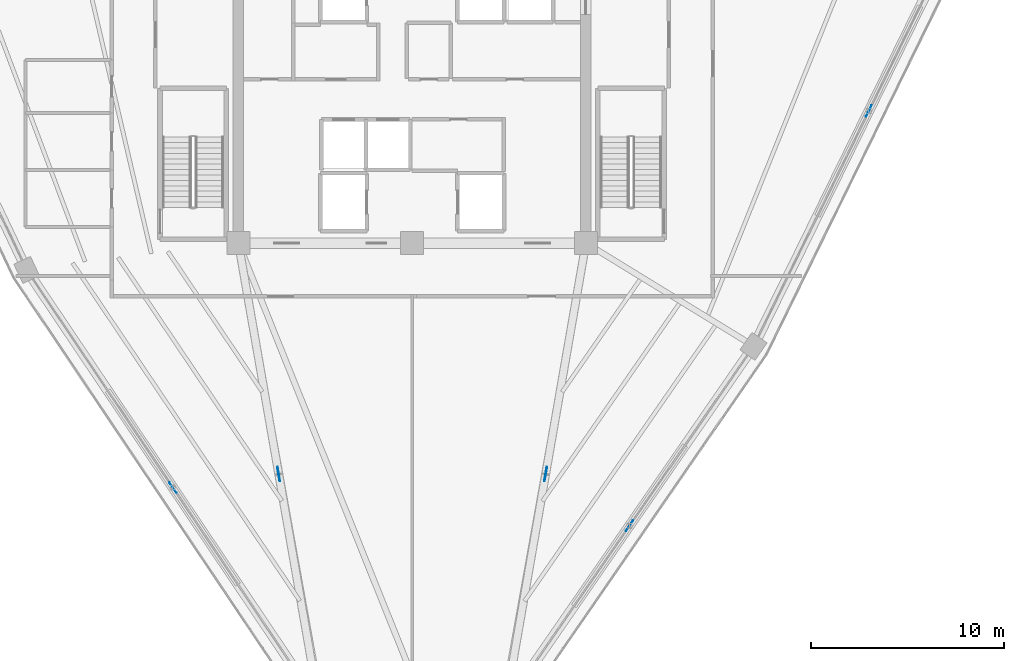
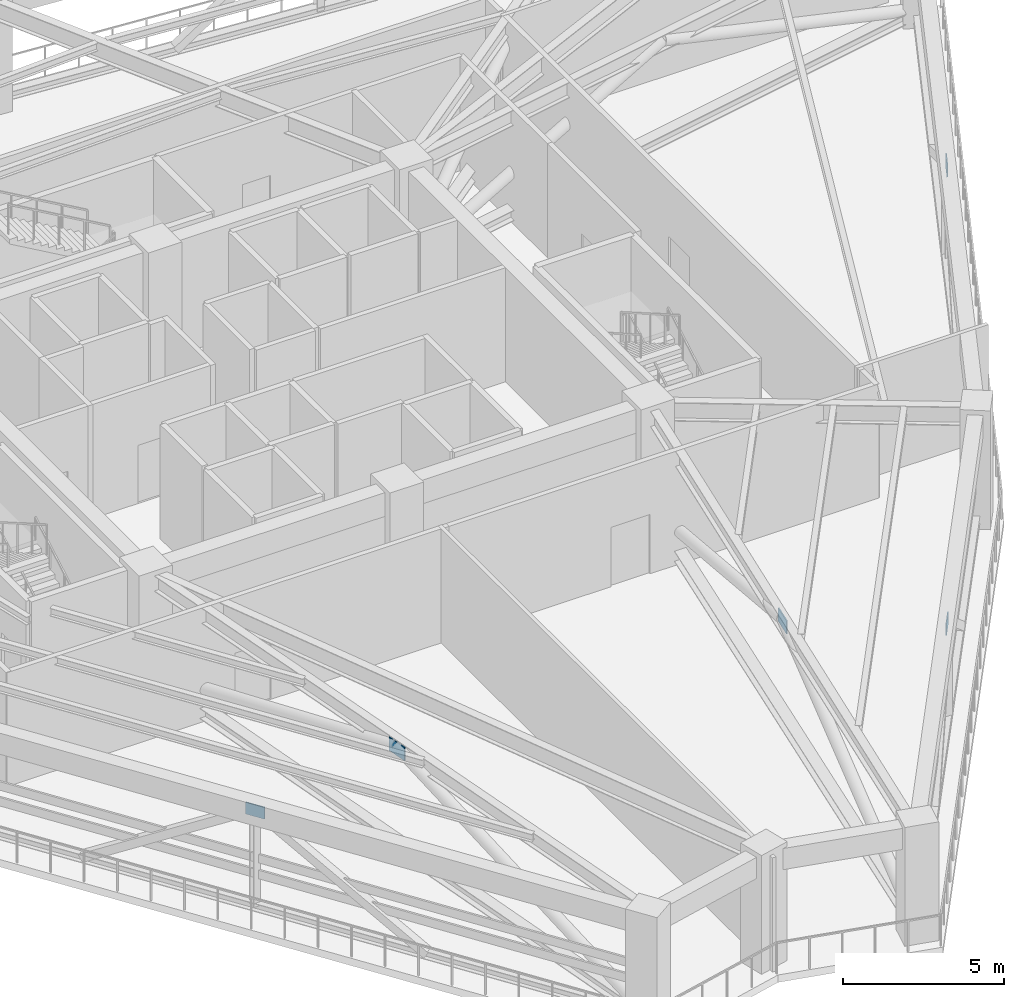
# One storey, part 12 of 22: 5 plates.
"""IFC4 building model written with IfcOpenShell, lengths in metres."""

from ifc_helpers import new_model, si_unit, direction, frame, origin, origin_2d, place, context, subcontext, project, spatial, rectangle, extrude, source, transform, mapped, material, layer, layer_set, type_object, element, save


model = new_model("IFC4")

# Units and contexts
model_context = context("Model", 3, precision=1e-05, world=origin(), true_north=direction((0.0, 1.0)))
body_context = subcontext(model_context, "Body", "Model", "MODEL_VIEW")
ifc_project = project(units=[si_unit("LENGTHUNIT", "METRE"), si_unit("AREAUNIT", "SQUARE_METRE"), si_unit("VOLUMEUNIT", "CUBIC_METRE"), si_unit("PLANEANGLEUNIT", "RADIAN"), si_unit("MASSUNIT", "GRAM", prefix="KILO")], contexts=[model_context])

# Site, building, storey
site_placement = place(None, origin())
site = spatial("IfcSite", under=ifc_project, at=site_placement, CompositionType="ELEMENT")
building_placement = place(site_placement, origin())
building = spatial("IfcBuilding", under=site, at=building_placement, Name="Liaohun Quay Tower", CompositionType="ELEMENT")
storey_placement = place(building_placement, frame((0.0, 0.0, 324.0)))
storey = spatial("IfcBuildingStorey", under=building, at=storey_placement, Name="L84", CompositionType="ELEMENT", Elevation=324.0)

# Plates
ifc_material = material(Name="Steel Q420D outrigger node gusset plate", Category="steel")
ifc_layer = layer(ifc_material, 0.0400390625, Name="Steel Q420D outrigger node gusset plate", Category="steel")
ifc_layer_set = layer_set([ifc_layer], Name="Steel Q420D outrigger node gusset plate")
plate_type = type_object("IfcPlateType", Name="PLT-GUS-OUT", PredefinedType="USERDEFINED", material=ifc_layer_set)
shared_shape_1 = source(origin(), body_context, "Body", "SweptSolid", [
    extrude(rectangle(XDim=0.75, YDim=0.0400390625, at=origin_2d()), origin(), (0.0, 0.0, 1.0), 0.5),
])
for number, where, z_axis, x_axis, name in (
    (1, (53.087890625, 34.534912109375, 3.669921875), (0.0, 0.0, 1.0), (0.171929100279, -0.985109326155, 0.0), "L84 Outrigger Node Gusset Plate GP1-01"),
    (2, (66.916015625, 34.534912109375, 3.669921875), (0.0, 0.0, 1.0), (-0.171585221787, -0.985169280715, 0.0), "L84 Outrigger Node Gusset Plate GP1-06"),
):
    element("IfcPlate", number, at=place(storey_placement, frame(where, z_axis=z_axis, x_axis=x_axis)), inside=storey, type_object=plate_type, Name=name, ObjectType="GUSSET PLATE", PredefinedType="USERDEFINED", context=body_context, shape_type="MappedRepresentation", body=[
        mapped(shared_shape_1, transform((0.0, 0.0, 0.0), x_axis=(1.0, 0.0, 0.0), y_axis=(0.0, 1.0, 0.0), z_axis=(0.0, 0.0, 1.0), scale=1.0)),
    ])
shared_shape_2 = source(origin(), body_context, "Body", "SweptSolid", [
    extrude(rectangle(XDim=0.64990234375, YDim=0.035888671875, at=origin_2d()), origin(), (0.0, 0.0, 1.0), 0.449951171875),
])
for number, where, z_axis, x_axis, name in (
    (3, (47.60595703125, 33.842041015625, 3.69482421875), (0.0, 0.0, 1.0), (-0.557600236013, 0.830109617338, 0.0), "L84 Belt Truss Node Gusset Plate GP1-B01"),
    (4, (83.655029296875, 53.345947265625, 3.69482421875), (0.0, 0.0, 1.0), (-0.440095898534, -0.897950778213, 0.0), "L84 Belt Truss Node Gusset Plate GP1-B05"),
    (5, (71.256103515625, 31.861083984375, 3.69482421875), (0.0, 0.0, 1.0), (-0.56870541993, -0.822541272729, 0.0), "L84 Belt Truss Node Gusset Plate GP1-B06"),
):
    element("IfcPlate", number, at=place(storey_placement, frame(where, z_axis=z_axis, x_axis=x_axis)), inside=storey, type_object=plate_type, Name=name, ObjectType="GUSSET PLATE", PredefinedType="USERDEFINED", context=body_context, shape_type="MappedRepresentation", body=[
        mapped(shared_shape_2, transform((0.0, 0.0, 0.0), x_axis=(1.0, 0.0, 0.0), y_axis=(0.0, 1.0, 0.0), z_axis=(0.0, 0.0, 1.0), scale=1.0)),
    ])

save(model, "model.ifc")
